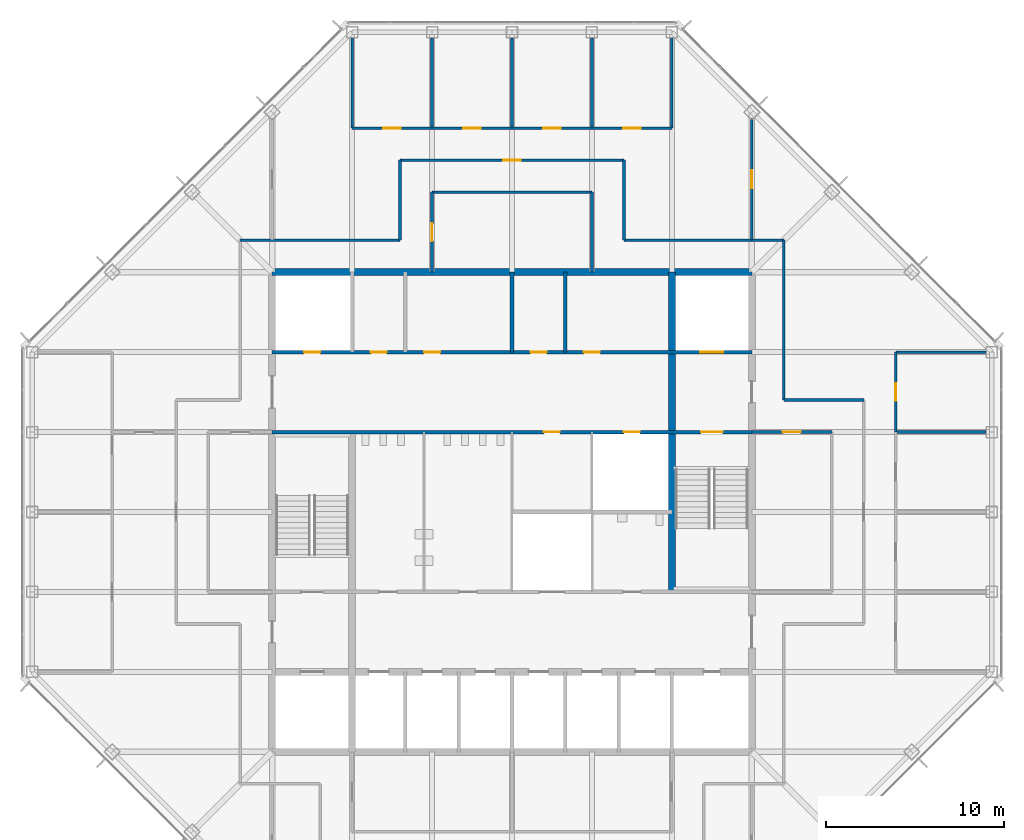
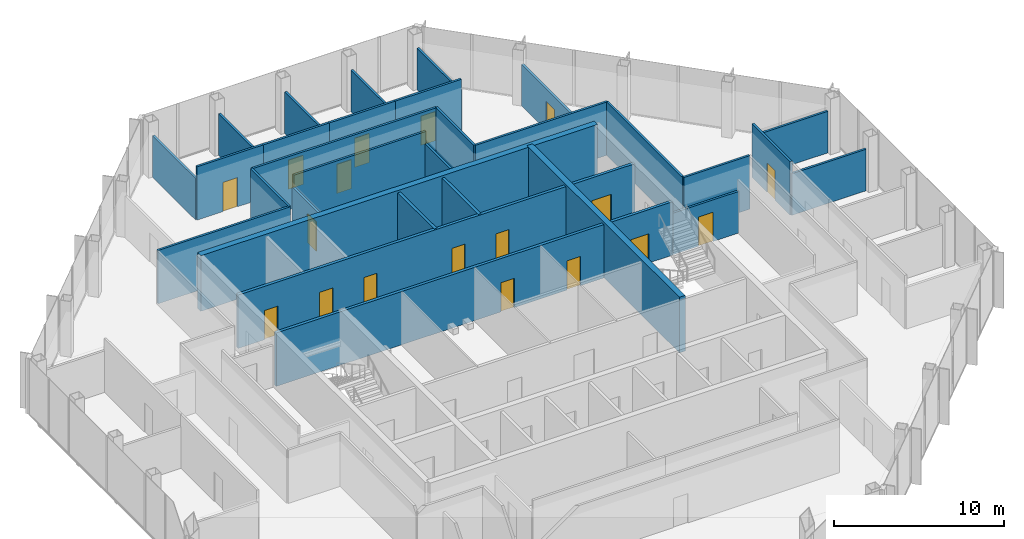
# One storey, part 11 of 14: 30 walls, 18 doors, 18 openings.
"""IFC4 building model written with IfcOpenShell, lengths in metres."""

from ifc_helpers import new_model, si_unit, direction, frame, frame_2d, origin, place, context, subcontext, project, spatial, rectangle, extrude, material, layer, layer_set, type_object, element, fill, save


model = new_model("IFC4")

# Units and contexts
model_context = context("Model", 3, precision=1e-05, world=origin(), true_north=direction((0.0, 1.0)))
body_context = subcontext(model_context, "Body", "Model", "MODEL_VIEW")
ifc_project = project(units=[si_unit("LENGTHUNIT", "METRE"), si_unit("AREAUNIT", "SQUARE_METRE"), si_unit("VOLUMEUNIT", "CUBIC_METRE"), si_unit("PLANEANGLEUNIT", "RADIAN"), si_unit("MASSUNIT", "GRAM", prefix="KILO")], contexts=[model_context])

# Site, building, storey
site_placement = place(None, origin())
site = spatial("IfcSite", under=ifc_project, at=site_placement, CompositionType="ELEMENT")
building_placement = place(site_placement, origin())
building = spatial("IfcBuilding", under=site, at=building_placement, Name="Corais Broadcast Tower", CompositionType="ELEMENT")
storey_placement = place(building_placement, frame((0.0, 0.0, 218.60009765625)))
storey = spatial("IfcBuildingStorey", under=building, at=storey_placement, Name="L50", CompositionType="ELEMENT", Elevation=218.60009765625)

# Wall, openings, doors
ifc_material_1 = material(Name="Concrete blockwork class A, grouted, two-hour", Category="masonry")
ifc_layer_1 = layer(ifc_material_1, 0.199951171875)
ifc_layer_set_1 = layer_set([ifc_layer_1], Name="Concrete blockwork class A, grouted, two-hour")
wall_type_1 = type_object("IfcWallType", Name="Core lobby wall 200", PredefinedType="SOLIDWALL", material=ifc_layer_set_1)
wall_1_placement = place(storey_placement, frame((13.5, 31.5, 0.0), z_axis=(0.0, 0.0, 1.0), x_axis=(1.0, 0.0, 0.0)))
wall_1 = element("IfcWall", 1, at=wall_1_placement, inside=storey, type_object=wall_type_1, Name="CL3 core lobby wall Y315 L50", PredefinedType="SOLIDWALL", context=body_context, shape_type="SweptSolid", body=[
    extrude(rectangle(XDim=27.0, YDim=0.199951171875, at=frame_2d((13.5, 0.0))), origin(), (0.0, 0.0, 1.0), 3.83984375),
])
opening_1_placement = place(wall_1_placement, frame((24.14990234375, 0.0, 0.0)))
opening_1 = element("IfcOpeningElement", 2, at=opening_1_placement, cuts=wall_1, Name="Opening FD1", PredefinedType="OPENING", context=body_context, shape_type="SweptSolid", body=[
    extrude(rectangle(XDim=1.199951171875, YDim=2.10009765625, at=frame_2d((0.60009765625, 1.050048828125))), frame((0.0, 0.10986328125, 0.0), z_axis=(0.0, -1.0, 0.0), x_axis=(1.0, 0.0, 0.0)), (0.0, 0.0, 1.0), 0.219970703125),
])
opening_2_placement = place(wall_1_placement, frame((15.300048828125, 0.0, 0.0)))
opening_2 = element("IfcOpeningElement", 3, at=opening_2_placement, cuts=wall_1, Name="Opening RD1", PredefinedType="OPENING", context=body_context, shape_type="SweptSolid", body=[
    extrude(rectangle(XDim=0.89990234375, YDim=2.10009765625, at=frame_2d((0.449951171875, 1.050048828125))), frame((0.0, 0.10986328125, 0.0), z_axis=(0.0, -1.0, 0.0), x_axis=(1.0, 0.0, 0.0)), (0.0, 0.0, 1.0), 0.219970703125),
])
opening_3_placement = place(wall_1_placement, frame((19.800048828125, 0.0, 0.0)))
opening_3 = element("IfcOpeningElement", 4, at=opening_3_placement, cuts=wall_1, Name="Opening RD1", PredefinedType="OPENING", context=body_context, shape_type="SweptSolid", body=[
    extrude(rectangle(XDim=0.89990234375, YDim=2.10009765625, at=frame_2d((0.449951171875, 1.050048828125))), frame((0.0, 0.10986328125, 0.0), z_axis=(0.0, -1.0, 0.0), x_axis=(1.0, 0.0, 0.0)), (0.0, 0.0, 1.0), 0.219970703125),
])
ifc_material_2 = material(Name="Steel fire door", Category="steel")
door_type_1 = type_object("IfcDoorType", Name="Fire door 1200x2100", OperationType="SINGLE_SWING_LEFT", PredefinedType="DOOR", material=ifc_material_2)
door_1_placement = place(opening_1_placement, origin())
door_1 = element("IfcDoor", 5, at=door_1_placement, inside=storey, type_object=door_type_1, Name="FD1 stair B door L50", OperationType="SINGLE_SWING_RIGHT", OverallHeight=2.10009765625, OverallWidth=1.199951171875, PredefinedType="DOOR", context=body_context, shape_type="SweptSolid", body=[
    extrude(rectangle(XDim=1.199951171875, YDim=2.10009765625, at=frame_2d((0.60009765625, 1.050048828125))), frame((0.0, 0.02490234375, 0.0), z_axis=(0.0, -1.0, 0.0), x_axis=(1.0, 0.0, 0.0)), (0.0, 0.0, 1.0), 0.050048828125),
])
fill(opening_1, door_1)
ifc_material_3 = material(Name="Steel fire door", Category="steel")
door_type_2 = type_object("IfcDoorType", Name="Riser door 900x2100", OperationType="SINGLE_SWING_LEFT", PredefinedType="DOOR", material=ifc_material_3)
door_2_placement = place(opening_2_placement, origin())
door_2 = element("IfcDoor", 6, at=door_2_placement, inside=storey, type_object=door_type_2, Name="RD1 cleaner's store door L50", OperationType="SINGLE_SWING_RIGHT", OverallHeight=2.10009765625, OverallWidth=0.89990234375, PredefinedType="DOOR", context=body_context, shape_type="SweptSolid", body=[
    extrude(rectangle(XDim=0.89990234375, YDim=2.10009765625, at=frame_2d((0.449951171875, 1.050048828125))), frame((0.0, 0.02490234375, 0.0), z_axis=(0.0, -1.0, 0.0), x_axis=(1.0, 0.0, 0.0)), (0.0, 0.0, 1.0), 0.050048828125),
])
fill(opening_2, door_2)
door_3_placement = place(opening_3_placement, origin())
door_3 = element("IfcDoor", 7, at=door_3_placement, inside=storey, type_object=door_type_2, Name="RD1 riser door L50", OperationType="SINGLE_SWING_RIGHT", OverallHeight=2.10009765625, OverallWidth=0.89990234375, PredefinedType="DOOR", context=body_context, shape_type="SweptSolid", body=[
    extrude(rectangle(XDim=0.89990234375, YDim=2.10009765625, at=frame_2d((0.449951171875, 1.050048828125))), frame((0.0, 0.02490234375, 0.0), z_axis=(0.0, -1.0, 0.0), x_axis=(1.0, 0.0, 0.0)), (0.0, 0.0, 1.0), 0.050048828125),
])
fill(opening_3, door_3)

# Walls
ifc_material_4 = material(Name="Concrete C50/60", Category="concrete")
ifc_layer_2 = layer(ifc_material_4, 0.39990234375)
ifc_layer_set_2 = layer_set([ifc_layer_2], Name="Concrete C50/60")
wall_type_2 = type_object("IfcWallType", Name="Core wall 400", PredefinedType="SHEAR", material=ifc_layer_set_2)
wall_2_placement = place(storey_placement, frame((40.5, 40.5, 0.0), z_axis=(0.0, 0.0, 1.0), x_axis=(-1.0, 0.0, 0.0)))
element("IfcWall", 8, at=wall_2_placement, inside=storey, type_object=wall_type_2, Name="CR400 core wall N L50", PredefinedType="SHEAR", context=body_context, shape_type="SweptSolid", body=[
    extrude(rectangle(XDim=27.0, YDim=0.39990234375, at=frame_2d((13.5, 0.0))), origin(), (0.0, 0.0, 1.0), 4.0),
])
wall_3_placement = place(storey_placement, frame((36.0, 22.5, 0.0), z_axis=(0.0, 0.0, 1.0), x_axis=(0.0, 1.0, 0.0)))
element("IfcWall", 9, at=wall_3_placement, inside=storey, type_object=wall_type_2, Name="CR400 core wall X36B L50", PredefinedType="SHEAR", context=body_context, shape_type="SweptSolid", body=[
    extrude(rectangle(XDim=18.0, YDim=0.39990234375, at=frame_2d((9.0, 0.0))), origin(), (0.0, 0.0, 1.0), 4.0),
])

# Wall, openings, doors
ifc_material_5 = material(Name="Concrete blockwork class A, grouted, four-hour", Category="masonry")
ifc_layer_3 = layer(ifc_material_5, 0.199951171875)
ifc_layer_set_3 = layer_set([ifc_layer_3], Name="Concrete blockwork class A, grouted, four-hour")
wall_type_3 = type_object("IfcWallType", Name="Emergency lift shaft wall 200", PredefinedType="SOLIDWALL", material=ifc_layer_set_3)
wall_4_placement = place(storey_placement, frame((13.5, 36.0, 0.0), z_axis=(0.0, 0.0, 1.0), x_axis=(1.0, 0.0, 0.0)))
wall_4 = element("IfcWall", 10, at=wall_4_placement, inside=storey, type_object=wall_type_3, Name="LS3 core lobby wall Y36 L50", PredefinedType="SOLIDWALL", context=body_context, shape_type="SweptSolid", body=[
    extrude(rectangle(XDim=27.0, YDim=0.199951171875, at=frame_2d((13.5, 0.0))), origin(), (0.0, 0.0, 1.0), 3.83984375),
])
opening_4_placement = place(wall_4_placement, frame((1.800048828125, 0.0, 0.0)))
opening_4 = element("IfcOpeningElement", 11, at=opening_4_placement, cuts=wall_4, Name="Opening RD1", PredefinedType="OPENING", context=body_context, shape_type="SweptSolid", body=[
    extrude(rectangle(XDim=0.89990234375, YDim=2.10009765625, at=frame_2d((0.449951171875, 1.050048828125))), frame((0.0, 0.10986328125, 0.0), z_axis=(0.0, -1.0, 0.0), x_axis=(1.0, 0.0, 0.0)), (0.0, 0.0, 1.0), 0.219970703125),
])
opening_5_placement = place(wall_4_placement, frame((5.550048828125, 0.0, 0.0)))
opening_5 = element("IfcOpeningElement", 12, at=opening_5_placement, cuts=wall_4, Name="Opening RD1", PredefinedType="OPENING", context=body_context, shape_type="SweptSolid", body=[
    extrude(rectangle(XDim=0.89990234375, YDim=2.10009765625, at=frame_2d((0.449951171875, 1.050048828125))), frame((0.0, 0.10986328125, 0.0), z_axis=(0.0, -1.0, 0.0), x_axis=(1.0, 0.0, 0.0)), (0.0, 0.0, 1.0), 0.219970703125),
])
opening_6_placement = place(wall_4_placement, frame((8.550048828125, 0.0, 0.0)))
opening_6 = element("IfcOpeningElement", 13, at=opening_6_placement, cuts=wall_4, Name="Opening RD1", PredefinedType="OPENING", context=body_context, shape_type="SweptSolid", body=[
    extrude(rectangle(XDim=0.89990234375, YDim=2.10009765625, at=frame_2d((0.449951171875, 1.050048828125))), frame((0.0, 0.10986328125, 0.0), z_axis=(0.0, -1.0, 0.0), x_axis=(1.0, 0.0, 0.0)), (0.0, 0.0, 1.0), 0.219970703125),
])
opening_7_placement = place(wall_4_placement, frame((14.550048828125, 0.0, 0.0)))
opening_7 = element("IfcOpeningElement", 14, at=opening_7_placement, cuts=wall_4, Name="Opening RD1", PredefinedType="OPENING", context=body_context, shape_type="SweptSolid", body=[
    extrude(rectangle(XDim=0.89990234375, YDim=2.10009765625, at=frame_2d((0.449951171875, 1.050048828125))), frame((0.0, 0.10986328125, 0.0), z_axis=(0.0, -1.0, 0.0), x_axis=(1.0, 0.0, 0.0)), (0.0, 0.0, 1.0), 0.219970703125),
])
opening_8_placement = place(wall_4_placement, frame((17.550048828125, 0.0, 0.0)))
opening_8 = element("IfcOpeningElement", 15, at=opening_8_placement, cuts=wall_4, Name="Opening RD1", PredefinedType="OPENING", context=body_context, shape_type="SweptSolid", body=[
    extrude(rectangle(XDim=0.89990234375, YDim=2.10009765625, at=frame_2d((0.449951171875, 1.050048828125))), frame((0.0, 0.10986328125, 0.0), z_axis=(0.0, -1.0, 0.0), x_axis=(1.0, 0.0, 0.0)), (0.0, 0.0, 1.0), 0.219970703125),
])
opening_9_placement = place(wall_4_placement, frame((24.10009765625, 0.0, 0.0)))
opening_9 = element("IfcOpeningElement", 16, at=opening_9_placement, cuts=wall_4, Name="Opening LD2", PredefinedType="OPENING", context=body_context, shape_type="SweptSolid", body=[
    extrude(rectangle(XDim=1.300048828125, YDim=2.199951171875, at=frame_2d((0.64990234375, 1.10009765625))), frame((0.0, 0.10986328125, 0.0), z_axis=(0.0, -1.0, 0.0), x_axis=(1.0, 0.0, 0.0)), (0.0, 0.0, 1.0), 0.219970703125),
])
ifc_material_6 = material(Name="Stainless steel lift door", Category="steel")
door_type_3 = type_object("IfcDoorType", Name="Lift landing door 1300x2200", OperationType="SLIDING_TO_LEFT", PredefinedType="DOOR", material=ifc_material_6)
door_4_placement = place(opening_9_placement, origin())
door_4 = element("IfcDoor", 17, at=door_4_placement, inside=storey, type_object=door_type_3, Name="LD2 FL2 landing door L50", OperationType="SLIDING_TO_LEFT", OverallHeight=2.199951171875, OverallWidth=1.300048828125, PredefinedType="DOOR", context=body_context, shape_type="SweptSolid", body=[
    extrude(rectangle(XDim=1.300048828125, YDim=2.199951171875, at=frame_2d((0.64990234375, 1.10009765625))), frame((0.0, 0.02490234375, 0.0), z_axis=(0.0, -1.0, 0.0), x_axis=(1.0, 0.0, 0.0)), (0.0, 0.0, 1.0), 0.050048828125),
])
fill(opening_9, door_4)
door_5_placement = place(opening_4_placement, origin())
door_5 = element("IfcDoor", 18, at=door_5_placement, inside=storey, type_object=door_type_2, Name="RD1 riser door L50", OperationType="SINGLE_SWING_LEFT", OverallHeight=2.10009765625, OverallWidth=0.89990234375, PredefinedType="DOOR", context=body_context, shape_type="SweptSolid", body=[
    extrude(rectangle(XDim=0.89990234375, YDim=2.10009765625, at=frame_2d((0.449951171875, 1.050048828125))), frame((0.0, 0.02490234375, 0.0), z_axis=(0.0, -1.0, 0.0), x_axis=(1.0, 0.0, 0.0)), (0.0, 0.0, 1.0), 0.050048828125),
])
fill(opening_4, door_5)
door_6_placement = place(opening_5_placement, origin())
door_6 = element("IfcDoor", 19, at=door_6_placement, inside=storey, type_object=door_type_2, Name="RD1 stationery store door L50", OperationType="SINGLE_SWING_LEFT", OverallHeight=2.10009765625, OverallWidth=0.89990234375, PredefinedType="DOOR", context=body_context, shape_type="SweptSolid", body=[
    extrude(rectangle(XDim=0.89990234375, YDim=2.10009765625, at=frame_2d((0.449951171875, 1.050048828125))), frame((0.0, 0.02490234375, 0.0), z_axis=(0.0, -1.0, 0.0), x_axis=(1.0, 0.0, 0.0)), (0.0, 0.0, 1.0), 0.050048828125),
])
fill(opening_5, door_6)
door_7_placement = place(opening_6_placement, origin())
door_7 = element("IfcDoor", 20, at=door_7_placement, inside=storey, type_object=door_type_2, Name="RD1 vending room door L50", OperationType="SINGLE_SWING_LEFT", OverallHeight=2.10009765625, OverallWidth=0.89990234375, PredefinedType="DOOR", context=body_context, shape_type="SweptSolid", body=[
    extrude(rectangle(XDim=0.89990234375, YDim=2.10009765625, at=frame_2d((0.449951171875, 1.050048828125))), frame((0.0, 0.02490234375, 0.0), z_axis=(0.0, -1.0, 0.0), x_axis=(1.0, 0.0, 0.0)), (0.0, 0.0, 1.0), 0.050048828125),
])
fill(opening_6, door_7)
door_8_placement = place(opening_7_placement, origin())
door_8 = element("IfcDoor", 21, at=door_8_placement, inside=storey, type_object=door_type_2, Name="RD1 av equipment room door L50", OperationType="SINGLE_SWING_RIGHT", OverallHeight=2.10009765625, OverallWidth=0.89990234375, PredefinedType="DOOR", context=body_context, shape_type="SweptSolid", body=[
    extrude(rectangle(XDim=0.89990234375, YDim=2.10009765625, at=frame_2d((0.449951171875, 1.050048828125))), frame((0.0, 0.02490234375, 0.0), z_axis=(0.0, -1.0, 0.0), x_axis=(1.0, 0.0, 0.0)), (0.0, 0.0, 1.0), 0.050048828125),
])
fill(opening_7, door_8)
door_9_placement = place(opening_8_placement, origin())
door_9 = element("IfcDoor", 22, at=door_9_placement, inside=storey, type_object=door_type_2, Name="RD1 media store door L50", OperationType="SINGLE_SWING_RIGHT", OverallHeight=2.10009765625, OverallWidth=0.89990234375, PredefinedType="DOOR", context=body_context, shape_type="SweptSolid", body=[
    extrude(rectangle(XDim=0.89990234375, YDim=2.10009765625, at=frame_2d((0.449951171875, 1.050048828125))), frame((0.0, 0.02490234375, 0.0), z_axis=(0.0, -1.0, 0.0), x_axis=(1.0, 0.0, 0.0)), (0.0, 0.0, 1.0), 0.050048828125),
])
fill(opening_8, door_9)

# Wall, opening, door
ifc_material_7 = material(Name="Gypsum board on steel studs", Category="steel")
ifc_layer_4 = layer(ifc_material_7, 0.14990234375)
ifc_layer_set_4 = layer_set([ifc_layer_4], Name="Gypsum board on steel studs")
wall_type_4 = type_object("IfcWallType", Name="Partition 150", PredefinedType="PARTITIONING", material=ifc_layer_set_4)
wall_5_placement = place(storey_placement, frame((33.300048828125, 46.800048828125, 0.0), z_axis=(0.0, 0.0, 1.0), x_axis=(-1.0, 0.0, 0.0)))
wall_5 = element("IfcWall", 23, at=wall_5_placement, inside=storey, type_object=wall_type_4, Name="IW3 corridor wall L50", PredefinedType="PARTITIONING", context=body_context, shape_type="SweptSolid", body=[
    extrude(rectangle(XDim=12.60009765625, YDim=0.14990234375, at=frame_2d((6.300048828125, 0.0))), origin(), (0.0, 0.0, 1.0), 3.83984375),
])
opening_10_placement = place(wall_5_placement, frame((5.800048828125, 0.0, 0.0)))
opening_10 = element("IfcOpeningElement", 24, at=opening_10_placement, cuts=wall_5, Name="Opening D1", PredefinedType="OPENING", context=body_context, shape_type="SweptSolid", body=[
    extrude(rectangle(XDim=1.0, YDim=2.10009765625, at=frame_2d((0.5, 1.050048828125))), frame((0.0, 0.0849609375, 0.0), z_axis=(0.0, -1.0, 0.0), x_axis=(1.0, 0.0, 0.0)), (0.0, 0.0, 1.0), 0.169921875),
])
ifc_material_8 = material(Name="Timber door", Category="wood")
door_type_4 = type_object("IfcDoorType", Name="Single door 1000x2100", OperationType="SINGLE_SWING_LEFT", PredefinedType="DOOR", material=ifc_material_8)
door_10_placement = place(opening_10_placement, origin())
door_10 = element("IfcDoor", 25, at=door_10_placement, inside=storey, type_object=door_type_4, Name="D1 workplace door L50", OperationType="SINGLE_SWING_LEFT", OverallHeight=2.10009765625, OverallWidth=1.0, PredefinedType="DOOR", context=body_context, shape_type="SweptSolid", body=[
    extrude(rectangle(XDim=1.0, YDim=2.10009765625, at=frame_2d((0.5, 1.050048828125))), frame((0.0, 0.02490234375, 0.0), z_axis=(0.0, -1.0, 0.0), x_axis=(1.0, 0.0, 0.0)), (0.0, 0.0, 1.0), 0.050048828125),
])
fill(opening_10, door_10)

# Walls
for number, where, z_axis, x_axis, name in (
    (26, (20.699951171875, 42.300048828125, 0.0), (0.0, 0.0, 1.0), (-1.0, 0.0, 0.0), "IW3 corridor wall L50"),
    (27, (42.300048828125, 33.300048828125, 0.0), (0.0, 0.0, 1.0), (0.0, 1.0, 0.0), "IW3 corridor wall L50"),
    (28, (42.300048828125, 42.300048828125, 0.0), (0.0, 0.0, 1.0), (-1.0, 0.0, 0.0), "IW3 corridor wall L50"),
):
    element("IfcWall", number, at=place(storey_placement, frame(where, z_axis=z_axis, x_axis=x_axis)), inside=storey, type_object=wall_type_4, Name=name, PredefinedType="PARTITIONING", context=body_context, shape_type="SweptSolid", body=[
        extrude(rectangle(XDim=9.0, YDim=0.14990234375, at=frame_2d((4.5, 0.0))), origin(), (0.0, 0.0, 1.0), 3.83984375),
    ])
for number, where, z_axis, x_axis, name in (
    (29, (20.699951171875, 46.800048828125, 0.0), (0.0, 0.0, 1.0), (0.0, -1.0, 0.0), "IW3 corridor wall L50"),
    (30, (33.300048828125, 42.300048828125, 0.0), (0.0, 0.0, 1.0), (0.0, 1.0, 0.0), "IW3 corridor wall L50"),
    (31, (46.800048828125, 33.300048828125, 0.0), (0.0, 0.0, 1.0), (-1.0, 0.0, 0.0), "IW3 corridor wall L50"),
):
    element("IfcWall", number, at=place(storey_placement, frame(where, z_axis=z_axis, x_axis=x_axis)), inside=storey, type_object=wall_type_4, Name=name, PredefinedType="PARTITIONING", context=body_context, shape_type="SweptSolid", body=[
        extrude(rectangle(XDim=4.5, YDim=0.14990234375, at=frame_2d((2.25, 0.0))), origin(), (0.0, 0.0, 1.0), 3.83984375),
    ])
for number, where, z_axis, x_axis, name in (
    (32, (53.6650390625, 31.5, 0.0), (0.0, 0.0, 1.0), (-1.0, 0.0, 0.0), "IW3 partition L50"),
    (33, (53.6650390625, 36.0, 0.0), (0.0, 0.0, 1.0), (-1.0, 0.0, 0.0), "IW3 partition L50"),
):
    element("IfcWall", number, at=place(storey_placement, frame(where, z_axis=z_axis, x_axis=x_axis)), inside=storey, type_object=wall_type_4, Name=name, PredefinedType="PARTITIONING", context=body_context, shape_type="SweptSolid", body=[
        extrude(rectangle(XDim=5.06494140625, YDim=0.14990234375, at=frame_2d((2.532470703125, 0.0))), origin(), (0.0, 0.0, 1.0), 2.989013671875),
    ])

# Wall, opening, door
wall_6_placement = place(storey_placement, frame((48.60009765625, 36.0, 0.0), z_axis=(0.0, 0.0, 1.0), x_axis=(0.0, -1.0, 0.0)))
wall_6 = element("IfcWall", 34, at=wall_6_placement, inside=storey, type_object=wall_type_4, Name="IW3 partition L50", PredefinedType="PARTITIONING", context=body_context, shape_type="SweptSolid", body=[
    extrude(rectangle(XDim=4.5, YDim=0.14990234375, at=frame_2d((2.25, 0.0))), origin(), (0.0, 0.0, 1.0), 3.83984375),
])
opening_11_placement = place(wall_6_placement, frame((1.75, 0.0, 0.0)))
opening_11 = element("IfcOpeningElement", 35, at=opening_11_placement, cuts=wall_6, Name="Opening D1", PredefinedType="OPENING", context=body_context, shape_type="SweptSolid", body=[
    extrude(rectangle(XDim=1.0, YDim=2.10009765625, at=frame_2d((0.5, 1.050048828125))), frame((0.0, 0.0849609375, 0.0), z_axis=(0.0, -1.0, 0.0), x_axis=(1.0, 0.0, 0.0)), (0.0, 0.0, 1.0), 0.169921875),
])
door_11_placement = place(opening_11_placement, origin())
door_11 = element("IfcDoor", 36, at=door_11_placement, inside=storey, type_object=door_type_4, Name="D1 Office door", OperationType="SINGLE_SWING_LEFT", OverallHeight=2.10009765625, OverallWidth=1.0, PredefinedType="DOOR", context=body_context, shape_type="SweptSolid", body=[
    extrude(rectangle(XDim=1.0, YDim=2.10009765625, at=frame_2d((0.5, 1.050048828125))), frame((0.0, 0.02490234375, 0.0), z_axis=(0.0, -1.0, 0.0), x_axis=(1.0, 0.0, 0.0)), (0.0, 0.0, 1.0), 0.050048828125),
])
fill(opening_11, door_11)

wall_7_placement = place(storey_placement, frame((18.0, 48.60009765625, 0.0), z_axis=(0.0, 0.0, 1.0), x_axis=(1.0, 0.0, 0.0)))
wall_7 = element("IfcWall", 37, at=wall_7_placement, inside=storey, type_object=wall_type_4, Name="IW3 partition L50", PredefinedType="PARTITIONING", context=body_context, shape_type="SweptSolid", body=[
    extrude(rectangle(XDim=4.5, YDim=0.14990234375, at=frame_2d((2.25, 0.0))), origin(), (0.0, 0.0, 1.0), 3.83984375),
])
opening_12_placement = place(wall_7_placement, frame((1.75, 0.0, 0.0)))
opening_12 = element("IfcOpeningElement", 38, at=opening_12_placement, cuts=wall_7, Name="Opening D1", PredefinedType="OPENING", context=body_context, shape_type="SweptSolid", body=[
    extrude(rectangle(XDim=1.0, YDim=2.10009765625, at=frame_2d((0.5, 1.050048828125))), frame((0.0, 0.0849609375, 0.0), z_axis=(0.0, -1.0, 0.0), x_axis=(1.0, 0.0, 0.0)), (0.0, 0.0, 1.0), 0.169921875),
])
door_12_placement = place(opening_12_placement, origin())
door_12 = element("IfcDoor", 39, at=door_12_placement, inside=storey, type_object=door_type_4, Name="D1 Office door", OperationType="SINGLE_SWING_LEFT", OverallHeight=2.10009765625, OverallWidth=1.0, PredefinedType="DOOR", context=body_context, shape_type="SweptSolid", body=[
    extrude(rectangle(XDim=1.0, YDim=2.10009765625, at=frame_2d((0.5, 1.050048828125))), frame((0.0, 0.02490234375, 0.0), z_axis=(0.0, -1.0, 0.0), x_axis=(1.0, 0.0, 0.0)), (0.0, 0.0, 1.0), 0.050048828125),
])
fill(opening_12, door_12)

# Walls
for number, where, z_axis, x_axis, name in (
    (40, (22.5, 48.60009765625, 0.0), (0.0, 0.0, 1.0), (0.0, 1.0, 0.0), "IW3 partition L50"),
    (41, (18.0, 53.6650390625, 0.0), (0.0, 0.0, 1.0), (0.0, -1.0, 0.0), "IW3 partition L50"),
):
    element("IfcWall", number, at=place(storey_placement, frame(where, z_axis=z_axis, x_axis=x_axis)), inside=storey, type_object=wall_type_4, Name=name, PredefinedType="PARTITIONING", context=body_context, shape_type="SweptSolid", body=[
        extrude(rectangle(XDim=5.06494140625, YDim=0.14990234375, at=frame_2d((2.532470703125, 0.0))), origin(), (0.0, 0.0, 1.0), 2.989013671875),
    ])

# Wall, opening, door
wall_8_placement = place(storey_placement, frame((22.5, 48.60009765625, 0.0), z_axis=(0.0, 0.0, 1.0), x_axis=(1.0, 0.0, 0.0)))
wall_8 = element("IfcWall", 42, at=wall_8_placement, inside=storey, type_object=wall_type_4, Name="IW3 partition L50", PredefinedType="PARTITIONING", context=body_context, shape_type="SweptSolid", body=[
    extrude(rectangle(XDim=4.5, YDim=0.14990234375, at=frame_2d((2.25, 0.0))), origin(), (0.0, 0.0, 1.0), 3.83984375),
])
opening_13_placement = place(wall_8_placement, frame((1.75, 0.0, 0.0)))
opening_13 = element("IfcOpeningElement", 43, at=opening_13_placement, cuts=wall_8, Name="Opening D1", PredefinedType="OPENING", context=body_context, shape_type="SweptSolid", body=[
    extrude(rectangle(XDim=1.0, YDim=2.10009765625, at=frame_2d((0.5, 1.050048828125))), frame((0.0, 0.0849609375, 0.0), z_axis=(0.0, -1.0, 0.0), x_axis=(1.0, 0.0, 0.0)), (0.0, 0.0, 1.0), 0.169921875),
])
door_13_placement = place(opening_13_placement, origin())
door_13 = element("IfcDoor", 44, at=door_13_placement, inside=storey, type_object=door_type_4, Name="D1 Office door", OperationType="SINGLE_SWING_LEFT", OverallHeight=2.10009765625, OverallWidth=1.0, PredefinedType="DOOR", context=body_context, shape_type="SweptSolid", body=[
    extrude(rectangle(XDim=1.0, YDim=2.10009765625, at=frame_2d((0.5, 1.050048828125))), frame((0.0, 0.02490234375, 0.0), z_axis=(0.0, -1.0, 0.0), x_axis=(1.0, 0.0, 0.0)), (0.0, 0.0, 1.0), 0.050048828125),
])
fill(opening_13, door_13)

# Wall
wall_9_placement = place(storey_placement, frame((27.0, 48.60009765625, 0.0), z_axis=(0.0, 0.0, 1.0), x_axis=(0.0, 1.0, 0.0)))
element("IfcWall", 45, at=wall_9_placement, inside=storey, type_object=wall_type_4, Name="IW3 partition L50", PredefinedType="PARTITIONING", context=body_context, shape_type="SweptSolid", body=[
    extrude(rectangle(XDim=5.06494140625, YDim=0.14990234375, at=frame_2d((2.532470703125, 0.0))), origin(), (0.0, 0.0, 1.0), 2.989013671875),
])

# Wall, opening, door
wall_10_placement = place(storey_placement, frame((27.0, 48.60009765625, 0.0), z_axis=(0.0, 0.0, 1.0), x_axis=(1.0, 0.0, 0.0)))
wall_10 = element("IfcWall", 46, at=wall_10_placement, inside=storey, type_object=wall_type_4, Name="IW3 partition L50", PredefinedType="PARTITIONING", context=body_context, shape_type="SweptSolid", body=[
    extrude(rectangle(XDim=4.5, YDim=0.14990234375, at=frame_2d((2.25, 0.0))), origin(), (0.0, 0.0, 1.0), 3.83984375),
])
opening_14_placement = place(wall_10_placement, frame((1.75, 0.0, 0.0)))
opening_14 = element("IfcOpeningElement", 47, at=opening_14_placement, cuts=wall_10, Name="Opening D1", PredefinedType="OPENING", context=body_context, shape_type="SweptSolid", body=[
    extrude(rectangle(XDim=1.0, YDim=2.10009765625, at=frame_2d((0.5, 1.050048828125))), frame((0.0, 0.0849609375, 0.0), z_axis=(0.0, -1.0, 0.0), x_axis=(1.0, 0.0, 0.0)), (0.0, 0.0, 1.0), 0.169921875),
])
door_14_placement = place(opening_14_placement, origin())
door_14 = element("IfcDoor", 48, at=door_14_placement, inside=storey, type_object=door_type_4, Name="D1 Office door", OperationType="SINGLE_SWING_LEFT", OverallHeight=2.10009765625, OverallWidth=1.0, PredefinedType="DOOR", context=body_context, shape_type="SweptSolid", body=[
    extrude(rectangle(XDim=1.0, YDim=2.10009765625, at=frame_2d((0.5, 1.050048828125))), frame((0.0, 0.02490234375, 0.0), z_axis=(0.0, -1.0, 0.0), x_axis=(1.0, 0.0, 0.0)), (0.0, 0.0, 1.0), 0.050048828125),
])
fill(opening_14, door_14)

# Wall
wall_11_placement = place(storey_placement, frame((31.5, 48.60009765625, 0.0), z_axis=(0.0, 0.0, 1.0), x_axis=(0.0, 1.0, 0.0)))
element("IfcWall", 49, at=wall_11_placement, inside=storey, type_object=wall_type_4, Name="IW3 partition L50", PredefinedType="PARTITIONING", context=body_context, shape_type="SweptSolid", body=[
    extrude(rectangle(XDim=5.06494140625, YDim=0.14990234375, at=frame_2d((2.532470703125, 0.0))), origin(), (0.0, 0.0, 1.0), 2.989013671875),
])

# Wall, opening, door
wall_12_placement = place(storey_placement, frame((31.5, 48.60009765625, 0.0), z_axis=(0.0, 0.0, 1.0), x_axis=(1.0, 0.0, 0.0)))
wall_12 = element("IfcWall", 50, at=wall_12_placement, inside=storey, type_object=wall_type_4, Name="IW3 partition L50", PredefinedType="PARTITIONING", context=body_context, shape_type="SweptSolid", body=[
    extrude(rectangle(XDim=4.5, YDim=0.14990234375, at=frame_2d((2.25, 0.0))), origin(), (0.0, 0.0, 1.0), 3.83984375),
])
opening_15_placement = place(wall_12_placement, frame((1.75, 0.0, 0.0)))
opening_15 = element("IfcOpeningElement", 51, at=opening_15_placement, cuts=wall_12, Name="Opening D1", PredefinedType="OPENING", context=body_context, shape_type="SweptSolid", body=[
    extrude(rectangle(XDim=1.0, YDim=2.10009765625, at=frame_2d((0.5, 1.050048828125))), frame((0.0, 0.0849609375, 0.0), z_axis=(0.0, -1.0, 0.0), x_axis=(1.0, 0.0, 0.0)), (0.0, 0.0, 1.0), 0.169921875),
])
door_15_placement = place(opening_15_placement, origin())
door_15 = element("IfcDoor", 52, at=door_15_placement, inside=storey, type_object=door_type_4, Name="D1 Office door", OperationType="SINGLE_SWING_LEFT", OverallHeight=2.10009765625, OverallWidth=1.0, PredefinedType="DOOR", context=body_context, shape_type="SweptSolid", body=[
    extrude(rectangle(XDim=1.0, YDim=2.10009765625, at=frame_2d((0.5, 1.050048828125))), frame((0.0, 0.02490234375, 0.0), z_axis=(0.0, -1.0, 0.0), x_axis=(1.0, 0.0, 0.0)), (0.0, 0.0, 1.0), 0.050048828125),
])
fill(opening_15, door_15)

# Walls
wall_13_placement = place(storey_placement, frame((36.0, 48.60009765625, 0.0), z_axis=(0.0, 0.0, 1.0), x_axis=(0.0, 1.0, 0.0)))
element("IfcWall", 53, at=wall_13_placement, inside=storey, type_object=wall_type_4, Name="IW3 partition L50", PredefinedType="PARTITIONING", context=body_context, shape_type="SweptSolid", body=[
    extrude(rectangle(XDim=5.06494140625, YDim=0.14990234375, at=frame_2d((2.532470703125, 0.0))), origin(), (0.0, 0.0, 1.0), 2.989013671875),
])
wall_14_placement = place(storey_placement, frame((31.5, 40.5, 0.0), z_axis=(0.0, 0.0, 1.0), x_axis=(0.0, 1.0, 0.0)))
element("IfcWall", 54, at=wall_14_placement, inside=storey, type_object=wall_type_4, Name="IW3 partition L50", PredefinedType="PARTITIONING", context=body_context, shape_type="SweptSolid", body=[
    extrude(rectangle(XDim=4.5, YDim=0.14990234375, at=frame_2d((2.25, 0.0))), origin(), (0.0, 0.0, 1.0), 2.989013671875),
])
wall_15_placement = place(storey_placement, frame((31.5, 45.0, 0.0), z_axis=(0.0, 0.0, 1.0), x_axis=(-1.0, 0.0, 0.0)))
element("IfcWall", 55, at=wall_15_placement, inside=storey, type_object=wall_type_4, Name="IW3 partition L50", PredefinedType="PARTITIONING", context=body_context, shape_type="SweptSolid", body=[
    extrude(rectangle(XDim=9.0, YDim=0.14990234375, at=frame_2d((4.5, 0.0))), origin(), (0.0, 0.0, 1.0), 3.83984375),
])

# Wall, opening, door
wall_16_placement = place(storey_placement, frame((22.5, 45.0, 0.0), z_axis=(0.0, 0.0, 1.0), x_axis=(0.0, -1.0, 0.0)))
wall_16 = element("IfcWall", 56, at=wall_16_placement, inside=storey, type_object=wall_type_4, Name="IW3 partition L50", PredefinedType="PARTITIONING", context=body_context, shape_type="SweptSolid", body=[
    extrude(rectangle(XDim=4.5, YDim=0.14990234375, at=frame_2d((2.25, 0.0))), origin(), (0.0, 0.0, 1.0), 2.989013671875),
])
opening_16_placement = place(wall_16_placement, frame((1.75, 0.0, 0.0)))
opening_16 = element("IfcOpeningElement", 57, at=opening_16_placement, cuts=wall_16, Name="Opening D1", PredefinedType="OPENING", context=body_context, shape_type="SweptSolid", body=[
    extrude(rectangle(XDim=1.0, YDim=2.10009765625, at=frame_2d((0.5, 1.050048828125))), frame((0.0, 0.0849609375, 0.0), z_axis=(0.0, -1.0, 0.0), x_axis=(1.0, 0.0, 0.0)), (0.0, 0.0, 1.0), 0.169921875),
])
door_16_placement = place(opening_16_placement, origin())
door_16 = element("IfcDoor", 58, at=door_16_placement, inside=storey, type_object=door_type_4, Name="D1 Meeting room door", OperationType="SINGLE_SWING_LEFT", OverallHeight=2.10009765625, OverallWidth=1.0, PredefinedType="DOOR", context=body_context, shape_type="SweptSolid", body=[
    extrude(rectangle(XDim=1.0, YDim=2.10009765625, at=frame_2d((0.5, 1.050048828125))), frame((0.0, 0.02490234375, 0.0), z_axis=(0.0, -1.0, 0.0), x_axis=(1.0, 0.0, 0.0)), (0.0, 0.0, 1.0), 0.050048828125),
])
fill(opening_16, door_16)

wall_17_placement = place(storey_placement, frame((45.0, 31.5, 0.0), z_axis=(0.0, 0.0, 1.0), x_axis=(-1.0, 0.0, 0.0)))
wall_17 = element("IfcWall", 59, at=wall_17_placement, inside=storey, type_object=wall_type_4, Name="IW3 partition L50", PredefinedType="PARTITIONING", context=body_context, shape_type="SweptSolid", body=[
    extrude(rectangle(XDim=4.5, YDim=0.14990234375, at=frame_2d((2.25, 0.0))), origin(), (0.0, 0.0, 1.0), 2.989013671875),
])
opening_17_placement = place(wall_17_placement, frame((1.75, 0.0, 0.0)))
opening_17 = element("IfcOpeningElement", 60, at=opening_17_placement, cuts=wall_17, Name="Opening D1", PredefinedType="OPENING", context=body_context, shape_type="SweptSolid", body=[
    extrude(rectangle(XDim=1.0, YDim=2.10009765625, at=frame_2d((0.5, 1.050048828125))), frame((0.0, 0.0849609375, 0.0), z_axis=(0.0, -1.0, 0.0), x_axis=(1.0, 0.0, 0.0)), (0.0, 0.0, 1.0), 0.169921875),
])
door_17_placement = place(opening_17_placement, origin())
door_17 = element("IfcDoor", 61, at=door_17_placement, inside=storey, type_object=door_type_4, Name="D1 Meeting room door", OperationType="SINGLE_SWING_LEFT", OverallHeight=2.10009765625, OverallWidth=1.0, PredefinedType="DOOR", context=body_context, shape_type="SweptSolid", body=[
    extrude(rectangle(XDim=1.0, YDim=2.10009765625, at=frame_2d((0.5, 1.050048828125))), frame((0.0, 0.02490234375, 0.0), z_axis=(0.0, -1.0, 0.0), x_axis=(1.0, 0.0, 0.0)), (0.0, 0.0, 1.0), 0.050048828125),
])
fill(opening_17, door_17)

wall_18_placement = place(storey_placement, frame((40.5, 49.155029296875, 0.0), z_axis=(0.0, 0.0, 1.0), x_axis=(0.0, -1.0, 0.0)))
wall_18 = element("IfcWall", 62, at=wall_18_placement, inside=storey, type_object=wall_type_4, Name="IW3 partition L50", PredefinedType="PARTITIONING", context=body_context, shape_type="SweptSolid", body=[
    extrude(rectangle(XDim=6.85498046875, YDim=0.14990234375, at=frame_2d((3.427490234375, 0.0))), origin(), (0.0, 0.0, 1.0), 2.989013671875),
])
opening_18_placement = place(wall_18_placement, frame((2.927490234375, 0.0, 0.0)))
opening_18 = element("IfcOpeningElement", 63, at=opening_18_placement, cuts=wall_18, Name="Opening D1", PredefinedType="OPENING", context=body_context, shape_type="SweptSolid", body=[
    extrude(rectangle(XDim=1.0, YDim=2.10009765625, at=frame_2d((0.5, 1.050048828125))), frame((0.0, 0.0849609375, 0.0), z_axis=(0.0, -1.0, 0.0), x_axis=(1.0, 0.0, 0.0)), (0.0, 0.0, 1.0), 0.169921875),
])
door_18_placement = place(opening_18_placement, origin())
door_18 = element("IfcDoor", 64, at=door_18_placement, inside=storey, type_object=door_type_4, Name="D1 team room door L50", OperationType="SINGLE_SWING_LEFT", OverallHeight=2.10009765625, OverallWidth=1.0, PredefinedType="DOOR", context=body_context, shape_type="SweptSolid", body=[
    extrude(rectangle(XDim=1.0, YDim=2.10009765625, at=frame_2d((0.5, 1.050048828125))), frame((0.0, 0.02490234375, 0.0), z_axis=(0.0, -1.0, 0.0), x_axis=(1.0, 0.0, 0.0)), (0.0, 0.0, 1.0), 0.050048828125),
])
fill(opening_18, door_18)

# Walls
ifc_material_9 = material(Name="Concrete blockwork class A, grouted, two-hour", Category="masonry")
ifc_layer_5 = layer(ifc_material_9, 0.199951171875)
ifc_layer_set_5 = layer_set([ifc_layer_5], Name="Concrete blockwork class A, grouted, two-hour")
wall_type_5 = type_object("IfcWallType", Name="Shaft wall 200", PredefinedType="PARTITIONING", material=ifc_layer_set_5)
for number, where, z_axis, x_axis, name in (
    (65, (27.0, 36.0, 0.0), (0.0, 0.0, 1.0), (0.0, 1.0, 0.0), "IW1 shaft wall L50"),
    (66, (30.0, 36.0, 0.0), (0.0, 0.0, 1.0), (0.0, 1.0, 0.0), "IW1 shaft wall L50"),
):
    element("IfcWall", number, at=place(storey_placement, frame(where, z_axis=z_axis, x_axis=x_axis)), inside=storey, type_object=wall_type_5, Name=name, PredefinedType="PARTITIONING", context=body_context, shape_type="SweptSolid", body=[
        extrude(rectangle(XDim=4.5, YDim=0.199951171875, at=frame_2d((2.25, 0.0))), origin(), (0.0, 0.0, 1.0), 3.83984375),
    ])

save(model, "model.ifc")
